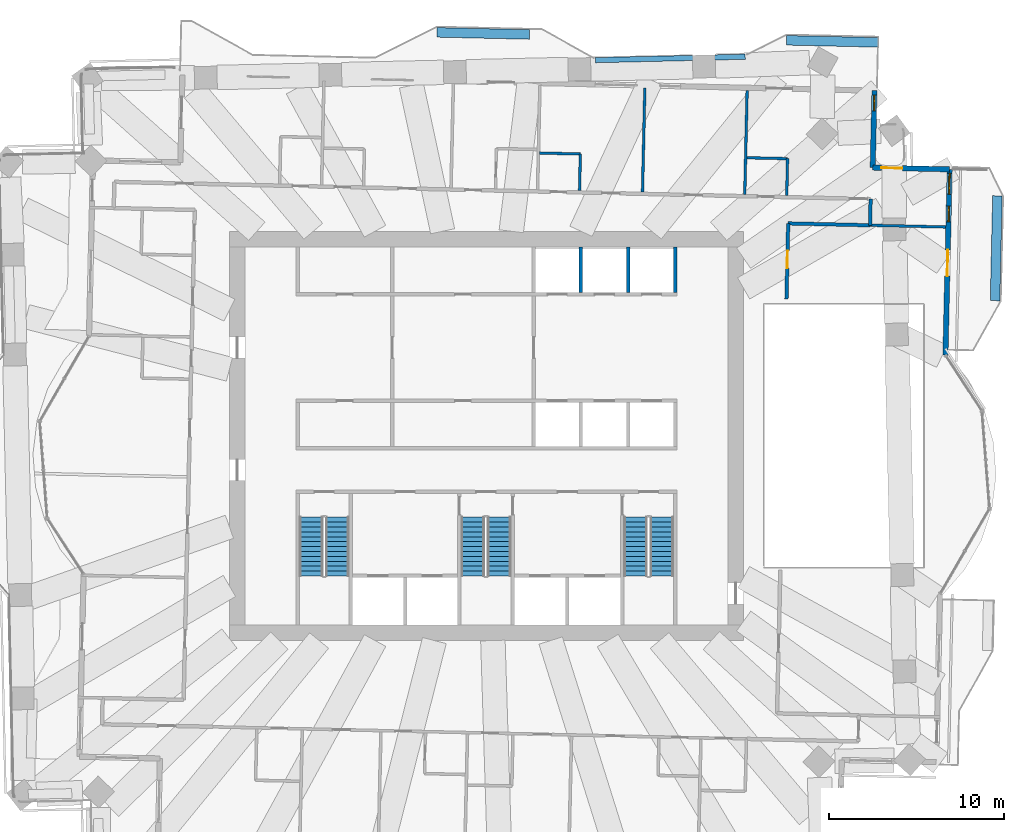
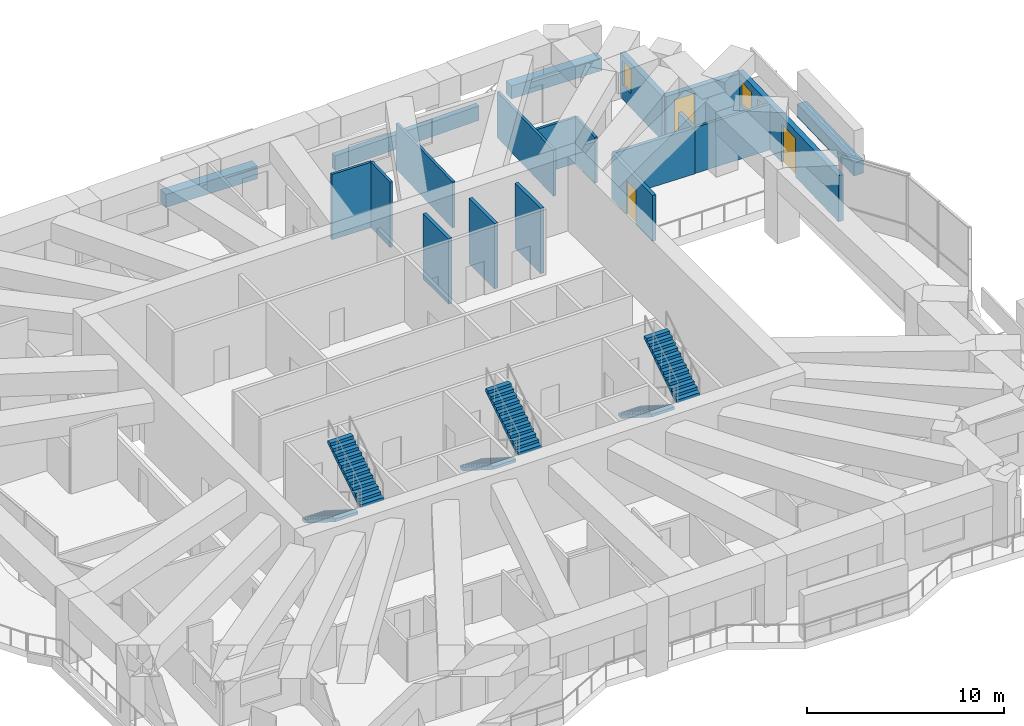
# One storey, part 12 of 17: 20 walls, 6 stair flights, 3 doors, 3 windows, 6 openings, 3 elements without a shape of their own.
"""IFC4 building model written with IfcOpenShell, lengths in metres."""

from ifc_helpers import new_model, si_unit, direction, frame, frame_2d, origin, place, context, subcontext, project, spatial, polyline, rectangle, outline, extrude, material, layer, layer_set, type_object, element, fill, aggregate, save


model = new_model("IFC4")

# Units and contexts
model_context = context("Model", 3, precision=1e-05, world=origin(), true_north=direction((0.0, 1.0)))
body_context = subcontext(model_context, "Body", "Model", "MODEL_VIEW")
ifc_project = project(units=[si_unit("LENGTHUNIT", "METRE"), si_unit("AREAUNIT", "SQUARE_METRE"), si_unit("VOLUMEUNIT", "CUBIC_METRE"), si_unit("PLANEANGLEUNIT", "RADIAN"), si_unit("MASSUNIT", "GRAM", prefix="KILO")], contexts=[model_context])

# Site, building, storey
site_placement = place(None, origin())
site = spatial("IfcSite", under=ifc_project, at=site_placement, CompositionType="ELEMENT")
building_placement = place(site_placement, origin())
building = spatial("IfcBuilding", under=site, at=building_placement, Name="Mangrove Gate Tower", CompositionType="ELEMENT")
storey_placement = place(building_placement, frame((0.0, 0.0, 148.10009765625)))
storey = spatial("IfcBuildingStorey", under=building, at=storey_placement, Name="L37", CompositionType="ELEMENT", Elevation=148.10009765625)

# Walls
ifc_material_1 = material(Name="Concrete C60/75", Category="concrete")
ifc_layer_1 = layer(ifc_material_1, 0.199951171875)
ifc_layer_set_1 = layer_set([ifc_layer_1], Name="Core shaft wall 200 C60/75")
wall_type_1 = type_object("IfcWallType", Name="Core shaft wall 200 C60/75", PredefinedType="SHEAR", material=ifc_layer_set_1)
for number, where, z_axis, x_axis, name in (
    (1, (5.39990234375, 8.199951171875, 0.0), (0.0, 0.0, 1.0), (0.0, 1.0, 0.0), "WALL-L37-CORE-28"),
    (2, (8.10009765625, 8.199951171875, 0.0), (0.0, 0.0, 1.0), (0.0, 1.0, 0.0), "WALL-L37-CORE-29"),
    (3, (10.800048828125, 8.199951171875, 0.0), (0.0, 0.0, 1.0), (0.0, 1.0, 0.0), "WALL-L37-CORE-30"),
):
    element("IfcWall", number, at=place(storey_placement, frame(where, z_axis=z_axis, x_axis=x_axis)), inside=storey, type_object=wall_type_1, Name=name, PredefinedType="SHEAR", context=body_context, shape_type="SweptSolid", body=[
        extrude(rectangle(XDim=2.60009765625, YDim=0.199951171875, at=frame_2d((1.300048828125, 0.0))), origin(), (0.0, 0.0, 1.0), 4.0498046875),
    ])

# Wall, opening, door
ifc_material_2 = material(Name="Gypsum board on steel stud, EI 60", Category="steel")
ifc_layer_2 = layer(ifc_material_2, 0.199951171875)
ifc_layer_set_2 = layer_set([ifc_layer_2], Name="Corridor wall EI 60")
wall_type_2 = type_object("IfcWallType", Name="Corridor wall EI 60", PredefinedType="PARTITIONING", material=ifc_layer_set_2)
wall_1_placement = place(storey_placement, frame((17.14892578125, 7.83203125, 0.0), z_axis=(0.0, 0.0, 1.0), x_axis=(0.022729111383, 0.999741660378, 0.0)))
wall_1 = element("IfcWall", 4, at=wall_1_placement, inside=storey, type_object=wall_type_2, Name="WALL-L37-032", PredefinedType="PARTITIONING", context=body_context, shape_type="SweptSolid", body=[
    extrude(rectangle(XDim=4.318115234375, YDim=0.199951171875, at=frame_2d((2.1591796875, 0.0))), origin(), (0.0, 0.0, 1.0), 2.849853515625),
])
opening_1_placement = place(wall_1_placement, frame((1.760986328125, 0.0, 0.0)))
opening_1 = element("IfcOpeningElement", 5, at=opening_1_placement, cuts=wall_1, Name="Opening AD", PredefinedType="OPENING", context=body_context, shape_type="SweptSolid", body=[
    extrude(rectangle(XDim=1.0, YDim=2.10009765625, at=frame_2d((0.5, 1.050048828125))), frame((0.0, 0.10986328125, 0.0), z_axis=(0.0, -1.0, 0.0), x_axis=(1.0, 0.0, 0.0)), (0.0, 0.0, 1.0), 0.219970703125),
])
ifc_material_3 = material(Name="Timber door leaf", Category="wood")
door_type_1 = type_object("IfcDoorType", Name="Amenity door 1000", OperationType="SINGLE_SWING_LEFT", PredefinedType="DOOR", material=ifc_material_3)
door_1_placement = place(opening_1_placement, origin())
door_1 = element("IfcDoor", 6, at=door_1_placement, inside=storey, type_object=door_type_1, Name="DOOR-L37-KIT-c3b", OperationType="SINGLE_SWING_LEFT", OverallHeight=2.10009765625, OverallWidth=1.0, PredefinedType="DOOR", context=body_context, shape_type="SweptSolid", body=[
    extrude(rectangle(XDim=1.0, YDim=2.10009765625, at=frame_2d((0.5, 1.050048828125))), frame((0.0, 0.02490234375, 0.0), z_axis=(0.0, -1.0, 0.0), x_axis=(1.0, 0.0, 0.0)), (0.0, 0.0, 1.0), 0.050048828125),
])
fill(opening_1, door_1)

# Walls
wall_2_placement = place(storey_placement, frame((17.248046875, 12.14892578125, 0.0), z_axis=(0.0, 0.0, 1.0), x_axis=(0.999739054811, -0.022843429809, 0.0)))
element("IfcWall", 7, at=wall_2_placement, inside=storey, type_object=wall_type_2, Name="WALL-L37-038", PredefinedType="PARTITIONING", context=body_context, shape_type="SweptSolid", body=[
    extrude(rectangle(XDim=4.68115234375, YDim=0.199951171875, at=frame_2d((2.340576171875, 0.0))), origin(), (0.0, 0.0, 1.0), 2.849853515625),
])
wall_3_placement = place(storey_placement, frame((21.926025390625, 12.0419921875, 0.0), z_axis=(0.0, 0.0, 1.0), x_axis=(0.022617910375, 0.999744182344, 0.0)))
element("IfcWall", 8, at=wall_3_placement, inside=storey, type_object=wall_type_2, Name="WALL-L37-039", PredefinedType="PARTITIONING", context=body_context, shape_type="SweptSolid", body=[
    extrude(rectangle(XDim=1.50048828125, YDim=0.199951171875, at=frame_2d((0.750244140625, 0.0))), origin(), (0.0, 0.0, 1.0), 2.849853515625),
])

# Wall, openings, door, windows
ifc_material_4 = material(Name="Limestone", Category="masonry")
ifc_layer_3 = layer(ifc_material_4, 0.0400390625, Name="Limestone cladding")
ifc_material_5 = material(Name="Ventilated air gap")
ifc_layer_4 = layer(ifc_material_5, 0.0400390625, Name="Ventilated cavity")
ifc_material_6 = material(Name="Mineral wool insulation")
ifc_layer_5 = layer(ifc_material_6, 0.06005859375, Name="Insulation")
ifc_material_7 = material(Name="Breather membrane")
ifc_layer_6 = layer(ifc_material_7, 0.001953125, Name="Breather membrane")
ifc_material_8 = material(Name="Concrete C20/25 blockwork", Category="masonry")
ifc_layer_7 = layer(ifc_material_8, 0.14990234375, Name="Blockwork backing wall")
ifc_material_9 = material(Name="Gypsum plaster")
ifc_layer_8 = layer(ifc_material_9, 0.008056640625, Name="Internal plaster")
ifc_layer_set_3 = layer_set([ifc_layer_3, ifc_layer_4, ifc_layer_5, ifc_layer_6, ifc_layer_7, ifc_layer_8], Name="External wall 300 limestone cladding")
wall_type_3 = type_object("IfcWallType", Name="External wall 300 limestone cladding", PredefinedType="SOLIDWALL", material=ifc_layer_set_3)
wall_4_placement = place(storey_placement, frame((26.238037109375, 4.613037109375, 0.0), z_axis=(0.0, 0.0, 1.0), x_axis=(0.022761056451, 0.999740933597, 0.0)))
wall_4 = element("IfcWall", 9, at=wall_4_placement, inside=storey, type_object=wall_type_3, Name="WALL-L37-E2", PredefinedType="SOLIDWALL", context=body_context, shape_type="SweptSolid", body=[
    extrude(rectangle(XDim=10.629638671875, YDim=0.300048828125, at=frame_2d((5.31494140625, 0.0))), origin(), (0.0, 0.0, 1.0), 2.849853515625),
])
opening_2_placement = place(wall_4_placement, frame((4.52197265625, 0.0, 0.0)))
opening_2 = element("IfcOpeningElement", 10, at=opening_2_placement, cuts=wall_4, Name="Opening BD1", PredefinedType="OPENING", context=body_context, shape_type="SweptSolid", body=[
    extrude(rectangle(XDim=1.5, YDim=2.39990234375, at=frame_2d((0.75, 1.199951171875))), frame((0.0, 0.159912109375, 0.0), z_axis=(0.0, -1.0, 0.0), x_axis=(1.0, 0.0, 0.0)), (0.0, 0.0, 1.0), 0.320068359375),
])
opening_3_placement = place(wall_4_placement, frame((7.62890625, 0.0, 0.89990234375)))
opening_3 = element("IfcOpeningElement", 11, at=opening_3_placement, cuts=wall_4, Name="Opening W5", PredefinedType="OPENING", context=body_context, shape_type="SweptSolid", body=[
    extrude(rectangle(XDim=0.89990234375, YDim=1.5, at=frame_2d((0.449951171875, 0.75))), frame((0.0, 0.159912109375, 0.0), z_axis=(0.0, -1.0, 0.0), x_axis=(1.0, 0.0, 0.0)), (0.0, 0.0, 1.0), 0.320068359375),
])
opening_4_placement = place(wall_4_placement, frame((9.2041015625, 0.0, 0.89990234375)))
opening_4 = element("IfcOpeningElement", 12, at=opening_4_placement, cuts=wall_4, Name="Opening W1", PredefinedType="OPENING", context=body_context, shape_type="SweptSolid", body=[
    extrude(rectangle(XDim=1.199951171875, YDim=1.5, at=frame_2d((0.60009765625, 0.75))), frame((0.0, 0.159912109375, 0.0), z_axis=(0.0, -1.0, 0.0), x_axis=(1.0, 0.0, 0.0)), (0.0, 0.0, 1.0), 0.320068359375),
])
ifc_material_10 = material(Name="Aluminium frame with laminated clear glass", Category="aluminium")
door_type_2 = type_object("IfcDoorType", Name="Balcony sliding door 1500x2400", OperationType="SLIDING_TO_LEFT", PredefinedType="DOOR", material=ifc_material_10)
door_2_placement = place(opening_2_placement, origin())
door_2 = element("IfcDoor", 13, at=door_2_placement, inside=storey, type_object=door_type_2, Name="DOOR-L37-E2-1", OperationType="SLIDING_TO_LEFT", OverallHeight=2.39990234375, OverallWidth=1.5, PredefinedType="DOOR", context=body_context, shape_type="SweptSolid", body=[
    extrude(rectangle(XDim=1.5, YDim=2.39990234375, at=frame_2d((0.75, 1.199951171875))), frame((0.0, 0.02490234375, 0.0), z_axis=(0.0, -1.0, 0.0), x_axis=(1.0, 0.0, 0.0)), (0.0, 0.0, 1.0), 0.050048828125),
])
fill(opening_2, door_2)
ifc_material_11 = material(Name="Aluminium frame with double-glazed low-e glass", Category="aluminium")
window_type_1 = type_object("IfcWindowType", Name="Narrow window 900x1500", PartitioningType="SINGLE_PANEL", PredefinedType="WINDOW", material=ifc_material_11)
window_1_placement = place(opening_3_placement, origin())
window_1 = element("IfcWindow", 14, at=window_1_placement, inside=storey, type_object=window_type_1, Name="WIN-L37-E2-2", OverallHeight=1.5, OverallWidth=0.89990234375, PartitioningType="SINGLE_PANEL", PredefinedType="WINDOW", context=body_context, shape_type="SweptSolid", body=[
    extrude(rectangle(XDim=0.89990234375, YDim=1.5, at=frame_2d((0.449951171875, 0.75))), frame((0.0, 0.030029296875, 0.0), z_axis=(0.0, -1.0, 0.0), x_axis=(1.0, 0.0, 0.0)), (0.0, 0.0, 1.0), 0.06005859375),
])
fill(opening_3, window_1)
ifc_material_12 = material(Name="Aluminium frame with double-glazed low-e glass", Category="aluminium")
window_type_2 = type_object("IfcWindowType", Name="Side lite 1200x1500", PartitioningType="SINGLE_PANEL", PredefinedType="WINDOW", material=ifc_material_12)
window_2_placement = place(opening_4_placement, origin())
window_2 = element("IfcWindow", 15, at=window_2_placement, inside=storey, type_object=window_type_2, Name="WIN-L37-E2-3", OverallHeight=1.5, OverallWidth=1.199951171875, PartitioningType="SINGLE_PANEL", PredefinedType="WINDOW", context=body_context, shape_type="SweptSolid", body=[
    extrude(rectangle(XDim=1.199951171875, YDim=1.5, at=frame_2d((0.60009765625, 0.75))), frame((0.0, 0.030029296875, 0.0), z_axis=(0.0, -1.0, 0.0), x_axis=(1.0, 0.0, 0.0)), (0.0, 0.0, 1.0), 0.06005859375),
])
fill(opening_4, window_2)

# Wall, opening, door
wall_5_placement = place(storey_placement, frame((26.47998046875, 15.239990234375, 0.0), z_axis=(0.0, 0.0, 1.0), x_axis=(-0.999741204967, 0.022749133868, 0.0)))
wall_5 = element("IfcWall", 16, at=wall_5_placement, inside=storey, type_object=wall_type_3, Name="WALL-L37-N3", PredefinedType="SOLIDWALL", context=body_context, shape_type="SweptSolid", body=[
    extrude(rectangle(XDim=4.400146484375, YDim=0.300048828125, at=frame_2d((2.2001953125, 0.0))), origin(), (0.0, 0.0, 1.0), 2.75),
])
opening_5_placement = place(wall_5_placement, frame((2.699951171875, 0.0, 0.0)))
opening_5 = element("IfcOpeningElement", 17, at=opening_5_placement, cuts=wall_5, Name="Opening BD2", PredefinedType="OPENING", context=body_context, shape_type="SweptSolid", body=[
    extrude(rectangle(XDim=1.199951171875, YDim=2.39990234375, at=frame_2d((0.60009765625, 1.199951171875))), frame((0.0, 0.159912109375, 0.0), z_axis=(0.0, -1.0, 0.0), x_axis=(1.0, 0.0, 0.0)), (0.0, 0.0, 1.0), 0.320068359375),
])
ifc_material_13 = material(Name="Aluminium frame with laminated clear glass", Category="aluminium")
door_type_3 = type_object("IfcDoorType", Name="Balcony sliding door 1200x2400", OperationType="SLIDING_TO_LEFT", PredefinedType="DOOR", material=ifc_material_13)
door_3_placement = place(opening_5_placement, origin())
door_3 = element("IfcDoor", 18, at=door_3_placement, inside=storey, type_object=door_type_3, Name="DOOR-L37-N3-1", OperationType="SLIDING_TO_LEFT", OverallHeight=2.39990234375, OverallWidth=1.199951171875, PredefinedType="DOOR", context=body_context, shape_type="SweptSolid", body=[
    extrude(rectangle(XDim=1.199951171875, YDim=2.39990234375, at=frame_2d((0.60009765625, 1.199951171875))), frame((0.0, 0.02490234375, 0.0), z_axis=(0.0, -1.0, 0.0), x_axis=(1.0, 0.0, 0.0)), (0.0, 0.0, 1.0), 0.050048828125),
])
fill(opening_5, door_3)

# Wall, opening, window
wall_6_placement = place(storey_placement, frame((22.0810546875, 15.340087890625, 0.0), z_axis=(0.0, 0.0, 1.0), x_axis=(0.022693676786, 0.999742465355, 0.0)))
wall_6 = element("IfcWall", 19, at=wall_6_placement, inside=storey, type_object=wall_type_3, Name="WALL-L37-E4", PredefinedType="SOLIDWALL", context=body_context, shape_type="SweptSolid", body=[
    extrude(rectangle(XDim=4.400146484375, YDim=0.300048828125, at=frame_2d((2.2001953125, 0.0))), origin(), (0.0, 0.0, 1.0), 2.75),
])
opening_6_placement = place(wall_6_placement, frame((3.248046875, 0.0, 0.89990234375)))
opening_6 = element("IfcOpeningElement", 20, at=opening_6_placement, cuts=wall_6, Name="Opening W5", PredefinedType="OPENING", context=body_context, shape_type="SweptSolid", body=[
    extrude(rectangle(XDim=0.89990234375, YDim=1.5, at=frame_2d((0.449951171875, 0.75))), frame((0.0, 0.159912109375, 0.0), z_axis=(0.0, -1.0, 0.0), x_axis=(1.0, 0.0, 0.0)), (0.0, 0.0, 1.0), 0.320068359375),
])
window_3_placement = place(opening_6_placement, origin())
window_3 = element("IfcWindow", 21, at=window_3_placement, inside=storey, type_object=window_type_1, Name="WIN-L37-E4-1", OverallHeight=1.5, OverallWidth=0.89990234375, PartitioningType="SINGLE_PANEL", PredefinedType="WINDOW", context=body_context, shape_type="SweptSolid", body=[
    extrude(rectangle(XDim=0.89990234375, YDim=1.5, at=frame_2d((0.449951171875, 0.75))), frame((0.0, 0.030029296875, 0.0), z_axis=(0.0, -1.0, 0.0), x_axis=(1.0, 0.0, 0.0)), (0.0, 0.0, 1.0), 0.06005859375),
])
fill(opening_6, window_3)

# Walls
ifc_layer_9 = layer(ifc_material_4, 0.0400390625, Name="Limestone cladding")
ifc_layer_10 = layer(ifc_material_5, 0.030029296875, Name="Ventilated cavity")
ifc_layer_11 = layer(ifc_material_6, 0.050048828125, Name="Insulation")
ifc_material_14 = material(Name="Concrete C32/40", Category="concrete")
ifc_layer_12 = layer(ifc_material_14, 0.179931640625, Name="Parapet core wall")
ifc_layer_set_4 = layer_set([ifc_layer_9, ifc_layer_10, ifc_layer_11, ifc_layer_12], Name="Parapet 300 limestone")
wall_type_4 = type_object("IfcWallType", Name="Parapet 300 limestone", PredefinedType="PARAPET", material=ifc_layer_set_4)
wall_7_placement = place(storey_placement, frame((6.218017578125, 21.48291015625, 0.0), z_axis=(0.0, 0.0, 1.0), x_axis=(0.999741232566, 0.022747920969, 0.0)))
element("IfcWall", 22, at=wall_7_placement, inside=storey, type_object=wall_type_4, Name="PARAPET L37 T2.1.1", PredefinedType="PARAPET", context=body_context, shape_type="SweptSolid", body=[
    extrude(rectangle(XDim=8.5751953125, YDim=0.300048828125, at=frame_2d((4.28759765625, 0.0))), origin(), (0.0, 0.0, 1.0), 0.89990234375),
])
ifc_material_15 = material(Name="Gypsum board on steel stud, EI 60", Category="steel")
ifc_layer_13 = layer(ifc_material_15, 0.14990234375)
ifc_layer_set_5 = layer_set([ifc_layer_13], Name="Party wall 150 EI 60")
wall_type_5 = type_object("IfcWallType", Name="Party wall 150 EI 60", PredefinedType="PARTITIONING", material=ifc_layer_set_5)
wall_8_placement = place(storey_placement, frame((21.927978515625, 12.0419921875, 0.0), z_axis=(0.0, 0.0, 1.0), x_axis=(0.999744131062, -0.022620176977, 0.0)))
element("IfcWall", 23, at=wall_8_placement, inside=storey, type_object=wall_type_5, Name="WALL-L37-040", PredefinedType="PARTITIONING", context=body_context, shape_type="SweptSolid", body=[
    extrude(rectangle(XDim=4.328125, YDim=0.14990234375, at=frame_2d((2.1640625, 0.0))), origin(), (0.0, 0.0, 1.0), 2.849853515625),
])
wall_9_placement = place(storey_placement, frame((5.31591796875, 14.02001953125, 0.0), z_axis=(0.0, 0.0, 1.0), x_axis=(0.022908956429, 0.999737555419, 0.0)))
element("IfcWall", 24, at=wall_9_placement, inside=storey, type_object=wall_type_5, Name="WALL-L37-048", PredefinedType="PARTITIONING", context=body_context, shape_type="SweptSolid", body=[
    extrude(rectangle(XDim=2.099365234375, YDim=0.14990234375, at=frame_2d((1.0498046875, 0.0))), origin(), (0.0, 0.0, 1.0), 4.0498046875),
])
for number, where, z_axis, x_axis, name in (
    (25, (8.916015625, 13.93798828125, 0.0), (0.0, 0.0, 1.0), (0.022688785847, 0.999742576365, 0.0), "WALL-L37-049"),
    (26, (14.763916015625, 13.804931640625, 0.0), (0.0, 0.0, 1.0), (0.022688785847, 0.999742576365, 0.0), "WALL-L37-050"),
):
    element("IfcWall", number, at=place(storey_placement, frame(where, z_axis=z_axis, x_axis=x_axis)), inside=storey, type_object=wall_type_5, Name=name, PredefinedType="PARTITIONING", context=body_context, shape_type="SweptSolid", body=[
        extrude(rectangle(XDim=5.950439453125, YDim=0.14990234375, at=frame_2d((2.97509765625, 0.0))), origin(), (0.0, 0.0, 1.0), 2.849853515625),
    ])
wall_10_placement = place(storey_placement, frame((17.1630859375, 13.7509765625, 0.0), z_axis=(0.0, 0.0, 1.0), x_axis=(0.02279007832, 0.999740272436, 0.0)))
element("IfcWall", 27, at=wall_10_placement, inside=storey, type_object=wall_type_5, Name="WALL-L37-051", PredefinedType="PARTITIONING", context=body_context, shape_type="SweptSolid", body=[
    extrude(rectangle(XDim=2.099609375, YDim=0.14990234375, at=frame_2d((1.0498046875, 0.0))), origin(), (0.0, 0.0, 1.0), 2.849853515625),
])
wall_11_placement = place(storey_placement, frame((3.0400390625, 16.172119140625, 0.0), z_axis=(0.0, 0.0, 1.0), x_axis=(0.999737862264, -0.022895561926, 0.0)))
element("IfcWall", 28, at=wall_11_placement, inside=storey, type_object=wall_type_5, Name="WALL-L37-053", PredefinedType="PARTITIONING", context=body_context, shape_type="SweptSolid", body=[
    extrude(rectangle(XDim=2.324462890625, YDim=0.14990234375, at=frame_2d((1.162109375, 0.0))), origin(), (0.0, 0.0, 1.0), 4.0498046875),
])
wall_12_placement = place(storey_placement, frame((14.886962890625, 15.903076171875, 0.0), z_axis=(0.0, 0.0, 1.0), x_axis=(0.999740260747, -0.02279059109, 0.0)))
element("IfcWall", 29, at=wall_12_placement, inside=storey, type_object=wall_type_5, Name="WALL-L37-054", PredefinedType="PARTITIONING", context=body_context, shape_type="SweptSolid", body=[
    extrude(rectangle(XDim=2.324462890625, YDim=0.14990234375, at=frame_2d((1.162109375, 0.0))), origin(), (0.0, 0.0, 1.0), 2.849853515625),
])
ifc_layer_14 = layer(ifc_material_14, 0.199951171875, Name="Planter trough wall")
ifc_material_16 = material(Name="Bituminous waterproofing membrane")
ifc_layer_15 = layer(ifc_material_16, 0.0048828125, Name="Waterproofing")
ifc_material_17 = material(Name="Drainage board and gravel")
ifc_layer_16 = layer(ifc_material_17, 0.044921875, Name="Drainage layer")
ifc_material_18 = material(Name="Planting soil")
ifc_layer_17 = layer(ifc_material_18, 0.300048828125, Name="Growing medium")
ifc_layer_set_6 = layer_set([ifc_layer_14, ifc_layer_15, ifc_layer_16, ifc_layer_17], Name="Planter wall 550 C32/40")
wall_type_6 = type_object("IfcWallType", Name="Planter wall 550 C32/40", PredefinedType="USERDEFINED", material=ifc_layer_set_6)
wall_13_placement = place(storey_placement, frame((29.074951171875, 7.72900390625, 0.0), z_axis=(0.0, 0.0, 1.0), x_axis=(0.022665943652, 0.999743094499, 0.0)))
element("IfcWall", 30, at=wall_13_placement, inside=storey, type_object=wall_type_6, Name="PLANTER L37 E1.1", ObjectType="PLANTER", PredefinedType="USERDEFINED", context=body_context, shape_type="SweptSolid", body=[
    extrude(rectangle(XDim=5.99951171875, YDim=0.550048828125, at=frame_2d((2.999755859375, 0.0))), origin(), (0.0, 0.0, 1.0), 0.7998046875),
])
wall_14_placement = place(storey_placement, frame((17.155029296875, 22.617919921875, 0.0), z_axis=(0.0, 0.0, 1.0), x_axis=(0.999742580615, -0.022688598572, 0.0)))
element("IfcWall", 31, at=wall_14_placement, inside=storey, type_object=wall_type_6, Name="PLANTER L37 N0.1", ObjectType="PLANTER", PredefinedType="USERDEFINED", context=body_context, shape_type="SweptSolid", body=[
    extrude(rectangle(XDim=5.240478515625, YDim=0.550048828125, at=frame_2d((2.6201171875, 0.0))), origin(), (0.0, 0.0, 1.0), 0.7998046875),
])
wall_15_placement = place(storey_placement, frame((-2.840087890625, 23.072021484375, 0.0), z_axis=(0.0, 0.0, 1.0), x_axis=(0.999743189186, -0.022661766832, 0.0)))
element("IfcWall", 32, at=wall_15_placement, inside=storey, type_object=wall_type_6, Name="PLANTER L37 N1.1", ObjectType="PLANTER", PredefinedType="USERDEFINED", context=body_context, shape_type="SweptSolid", body=[
    extrude(rectangle(XDim=5.300537109375, YDim=0.550048828125, at=frame_2d((2.650390625, 0.0))), origin(), (0.0, 0.0, 1.0), 0.7998046875),
])

# Stair, stair flights
ifc_material_19 = material(Name="Concrete C40/50", Category="concrete")
stair_type = type_object("IfcStairType", Name="Core stair 1350", PredefinedType="HALF_TURN_STAIR", material=ifc_material_19)
stair_1_placement = place(storey_placement, origin())
stair_1 = element("IfcStair", 33, at=stair_1_placement, inside=storey, type_object=stair_type, Name="L37 Stair 1", PredefinedType="HALF_TURN_STAIR")
ifc_material_20 = material(Name="Concrete C40/50", Category="concrete")
stair_flight_type = type_object("IfcStairFlightType", Name="Core stair flight 1350", PredefinedType="STRAIGHT", material=ifc_material_20)
stair_flight_1_placement = place(storey_placement, frame((-10.02490234375, -4.64990234375, 0.0), z_axis=(0.0, 0.0, 1.0), x_axis=(0.0, -1.0, 0.0)))
stair_flight_1 = element("IfcStairFlight", 34, at=stair_flight_1_placement, type_object=stair_flight_type, Name="ST1 flight 1", NumberOfRisers=13, NumberOfTreads=12, PredefinedType="STRAIGHT", RiserHeight=0.176923077, TreadLength=0.28, context=body_context, shape_type="SweptSolid", body=[
    extrude(outline(polyline([(0.0, 0.0), (0.0, 0.177001953125), (0.280029296875, 0.177001953125), (0.280029296875, 0.353759765625), (0.56005859375, 0.353759765625), (0.56005859375, 0.53076171875), (0.840087890625, 0.53076171875), (0.840087890625, 0.707763671875), (1.1201171875, 0.707763671875), (1.1201171875, 0.884521484375), (1.39990234375, 0.884521484375), (1.39990234375, 1.0615234375), (1.679931640625, 1.0615234375), (1.679931640625, 1.238525390625), (1.9599609375, 1.238525390625), (1.9599609375, 1.415283203125), (2.239990234375, 1.415283203125), (2.239990234375, 1.59228515625), (2.52001953125, 1.59228515625), (2.52001953125, 1.769287109375), (2.800048828125, 1.769287109375), (2.800048828125, 1.946044921875), (3.080078125, 1.946044921875), (3.080078125, 2.123046875), (3.360107421875, 2.123046875), (3.360107421875, 2.300048828125), (3.360107421875, 1.94580078125), (0.280517578125, 0.0), (0.0, 0.0)])), frame((0.0, 0.675048828125, 0.0), z_axis=(0.0, -1.0, 0.0), x_axis=(1.0, 0.0, 0.0)), (0.0, 0.0, 1.0), 1.35009765625),
])
stair_flight_2_placement = place(storey_placement, frame((-8.52490234375, -8.010009765625, 2.2998046875), z_axis=(0.0, 0.0, 1.0), x_axis=(0.0, 1.0, 0.0)))
stair_flight_2 = element("IfcStairFlight", 35, at=stair_flight_2_placement, type_object=stair_flight_type, Name="ST1 flight 2", NumberOfRisers=13, NumberOfTreads=12, PredefinedType="STRAIGHT", RiserHeight=0.176923077, TreadLength=0.28, context=body_context, shape_type="SweptSolid", body=[
    extrude(outline(polyline([(0.0, 0.0), (0.0, 0.177001953125), (0.280029296875, 0.177001953125), (0.280029296875, 0.353759765625), (0.56005859375, 0.353759765625), (0.56005859375, 0.53076171875), (0.840087890625, 0.53076171875), (0.840087890625, 0.707763671875), (1.1201171875, 0.707763671875), (1.1201171875, 0.884521484375), (1.39990234375, 0.884521484375), (1.39990234375, 1.0615234375), (1.679931640625, 1.0615234375), (1.679931640625, 1.238525390625), (1.9599609375, 1.238525390625), (1.9599609375, 1.415283203125), (2.239990234375, 1.415283203125), (2.239990234375, 1.59228515625), (2.52001953125, 1.59228515625), (2.52001953125, 1.769287109375), (2.800048828125, 1.769287109375), (2.800048828125, 1.946044921875), (3.080078125, 1.946044921875), (3.080078125, 2.123046875), (3.360107421875, 2.123046875), (3.360107421875, 2.300048828125), (3.360107421875, 1.94580078125), (0.280517578125, 0.0), (0.0, 0.0)])), frame((0.0, 0.675048828125, 0.0), z_axis=(0.0, -1.0, 0.0), x_axis=(1.0, 0.0, 0.0)), (0.0, 0.0, 1.0), 1.35009765625),
])
aggregate(stair_1, [stair_flight_1, stair_flight_2])

stair_2_placement = place(storey_placement, origin())
stair_2 = element("IfcStair", 36, at=stair_2_placement, inside=storey, type_object=stair_type, Name="L37 Stair 2", PredefinedType="HALF_TURN_STAIR")
stair_flight_3_placement = place(storey_placement, frame((-0.77490234375, -4.64990234375, 0.0), z_axis=(0.0, 0.0, 1.0), x_axis=(0.0, -1.0, 0.0)))
stair_flight_3 = element("IfcStairFlight", 37, at=stair_flight_3_placement, type_object=stair_flight_type, Name="ST2 flight 1", NumberOfRisers=13, NumberOfTreads=12, PredefinedType="STRAIGHT", RiserHeight=0.176923077, TreadLength=0.28, context=body_context, shape_type="SweptSolid", body=[
    extrude(outline(polyline([(0.0, 0.0), (0.0, 0.177001953125), (0.280029296875, 0.177001953125), (0.280029296875, 0.353759765625), (0.56005859375, 0.353759765625), (0.56005859375, 0.53076171875), (0.840087890625, 0.53076171875), (0.840087890625, 0.707763671875), (1.1201171875, 0.707763671875), (1.1201171875, 0.884521484375), (1.39990234375, 0.884521484375), (1.39990234375, 1.0615234375), (1.679931640625, 1.0615234375), (1.679931640625, 1.238525390625), (1.9599609375, 1.238525390625), (1.9599609375, 1.415283203125), (2.239990234375, 1.415283203125), (2.239990234375, 1.59228515625), (2.52001953125, 1.59228515625), (2.52001953125, 1.769287109375), (2.800048828125, 1.769287109375), (2.800048828125, 1.946044921875), (3.080078125, 1.946044921875), (3.080078125, 2.123046875), (3.360107421875, 2.123046875), (3.360107421875, 2.300048828125), (3.360107421875, 1.94580078125), (0.280517578125, 0.0), (0.0, 0.0)])), frame((0.0, 0.675048828125, 0.0), z_axis=(0.0, -1.0, 0.0), x_axis=(1.0, 0.0, 0.0)), (0.0, 0.0, 1.0), 1.35009765625),
])
stair_flight_4_placement = place(storey_placement, frame((0.72509765625, -8.010009765625, 2.2998046875), z_axis=(0.0, 0.0, 1.0), x_axis=(0.0, 1.0, 0.0)))
stair_flight_4 = element("IfcStairFlight", 38, at=stair_flight_4_placement, type_object=stair_flight_type, Name="ST2 flight 2", NumberOfRisers=13, NumberOfTreads=12, PredefinedType="STRAIGHT", RiserHeight=0.176923077, TreadLength=0.28, context=body_context, shape_type="SweptSolid", body=[
    extrude(outline(polyline([(0.0, 0.0), (0.0, 0.177001953125), (0.280029296875, 0.177001953125), (0.280029296875, 0.353759765625), (0.56005859375, 0.353759765625), (0.56005859375, 0.53076171875), (0.840087890625, 0.53076171875), (0.840087890625, 0.707763671875), (1.1201171875, 0.707763671875), (1.1201171875, 0.884521484375), (1.39990234375, 0.884521484375), (1.39990234375, 1.0615234375), (1.679931640625, 1.0615234375), (1.679931640625, 1.238525390625), (1.9599609375, 1.238525390625), (1.9599609375, 1.415283203125), (2.239990234375, 1.415283203125), (2.239990234375, 1.59228515625), (2.52001953125, 1.59228515625), (2.52001953125, 1.769287109375), (2.800048828125, 1.769287109375), (2.800048828125, 1.946044921875), (3.080078125, 1.946044921875), (3.080078125, 2.123046875), (3.360107421875, 2.123046875), (3.360107421875, 2.300048828125), (3.360107421875, 1.94580078125), (0.280517578125, 0.0), (0.0, 0.0)])), frame((0.0, 0.675048828125, 0.0), z_axis=(0.0, -1.0, 0.0), x_axis=(1.0, 0.0, 0.0)), (0.0, 0.0, 1.0), 1.35009765625),
])
aggregate(stair_2, [stair_flight_3, stair_flight_4])

stair_3_placement = place(storey_placement, origin())
stair_3 = element("IfcStair", 39, at=stair_3_placement, inside=storey, type_object=stair_type, Name="L37 Stair 3", PredefinedType="HALF_TURN_STAIR")
stair_flight_5_placement = place(storey_placement, frame((8.52490234375, -4.64990234375, 0.0), z_axis=(0.0, 0.0, 1.0), x_axis=(0.0, -1.0, 0.0)))
stair_flight_5 = element("IfcStairFlight", 40, at=stair_flight_5_placement, type_object=stair_flight_type, Name="ST3 flight 1", NumberOfRisers=13, NumberOfTreads=12, PredefinedType="STRAIGHT", RiserHeight=0.176923077, TreadLength=0.28, context=body_context, shape_type="SweptSolid", body=[
    extrude(outline(polyline([(0.0, 0.0), (0.0, 0.177001953125), (0.280029296875, 0.177001953125), (0.280029296875, 0.353759765625), (0.56005859375, 0.353759765625), (0.56005859375, 0.53076171875), (0.840087890625, 0.53076171875), (0.840087890625, 0.707763671875), (1.1201171875, 0.707763671875), (1.1201171875, 0.884521484375), (1.39990234375, 0.884521484375), (1.39990234375, 1.0615234375), (1.679931640625, 1.0615234375), (1.679931640625, 1.238525390625), (1.9599609375, 1.238525390625), (1.9599609375, 1.415283203125), (2.239990234375, 1.415283203125), (2.239990234375, 1.59228515625), (2.52001953125, 1.59228515625), (2.52001953125, 1.769287109375), (2.800048828125, 1.769287109375), (2.800048828125, 1.946044921875), (3.080078125, 1.946044921875), (3.080078125, 2.123046875), (3.360107421875, 2.123046875), (3.360107421875, 2.300048828125), (3.360107421875, 1.94580078125), (0.280517578125, 0.0), (0.0, 0.0)])), frame((0.0, 0.675048828125, 0.0), z_axis=(0.0, -1.0, 0.0), x_axis=(1.0, 0.0, 0.0)), (0.0, 0.0, 1.0), 1.35009765625),
])
stair_flight_6_placement = place(storey_placement, frame((10.02490234375, -8.010009765625, 2.2998046875), z_axis=(0.0, 0.0, 1.0), x_axis=(0.0, 1.0, 0.0)))
stair_flight_6 = element("IfcStairFlight", 41, at=stair_flight_6_placement, type_object=stair_flight_type, Name="ST3 flight 2", NumberOfRisers=13, NumberOfTreads=12, PredefinedType="STRAIGHT", RiserHeight=0.176923077, TreadLength=0.28, context=body_context, shape_type="SweptSolid", body=[
    extrude(outline(polyline([(0.0, 0.0), (0.0, 0.177001953125), (0.280029296875, 0.177001953125), (0.280029296875, 0.353759765625), (0.56005859375, 0.353759765625), (0.56005859375, 0.53076171875), (0.840087890625, 0.53076171875), (0.840087890625, 0.707763671875), (1.1201171875, 0.707763671875), (1.1201171875, 0.884521484375), (1.39990234375, 0.884521484375), (1.39990234375, 1.0615234375), (1.679931640625, 1.0615234375), (1.679931640625, 1.238525390625), (1.9599609375, 1.238525390625), (1.9599609375, 1.415283203125), (2.239990234375, 1.415283203125), (2.239990234375, 1.59228515625), (2.52001953125, 1.59228515625), (2.52001953125, 1.769287109375), (2.800048828125, 1.769287109375), (2.800048828125, 1.946044921875), (3.080078125, 1.946044921875), (3.080078125, 2.123046875), (3.360107421875, 2.123046875), (3.360107421875, 2.300048828125), (3.360107421875, 1.94580078125), (0.280517578125, 0.0), (0.0, 0.0)])), frame((0.0, 0.675048828125, 0.0), z_axis=(0.0, -1.0, 0.0), x_axis=(1.0, 0.0, 0.0)), (0.0, 0.0, 1.0), 1.35009765625),
])
aggregate(stair_3, [stair_flight_5, stair_flight_6])

save(model, "model.ifc")
